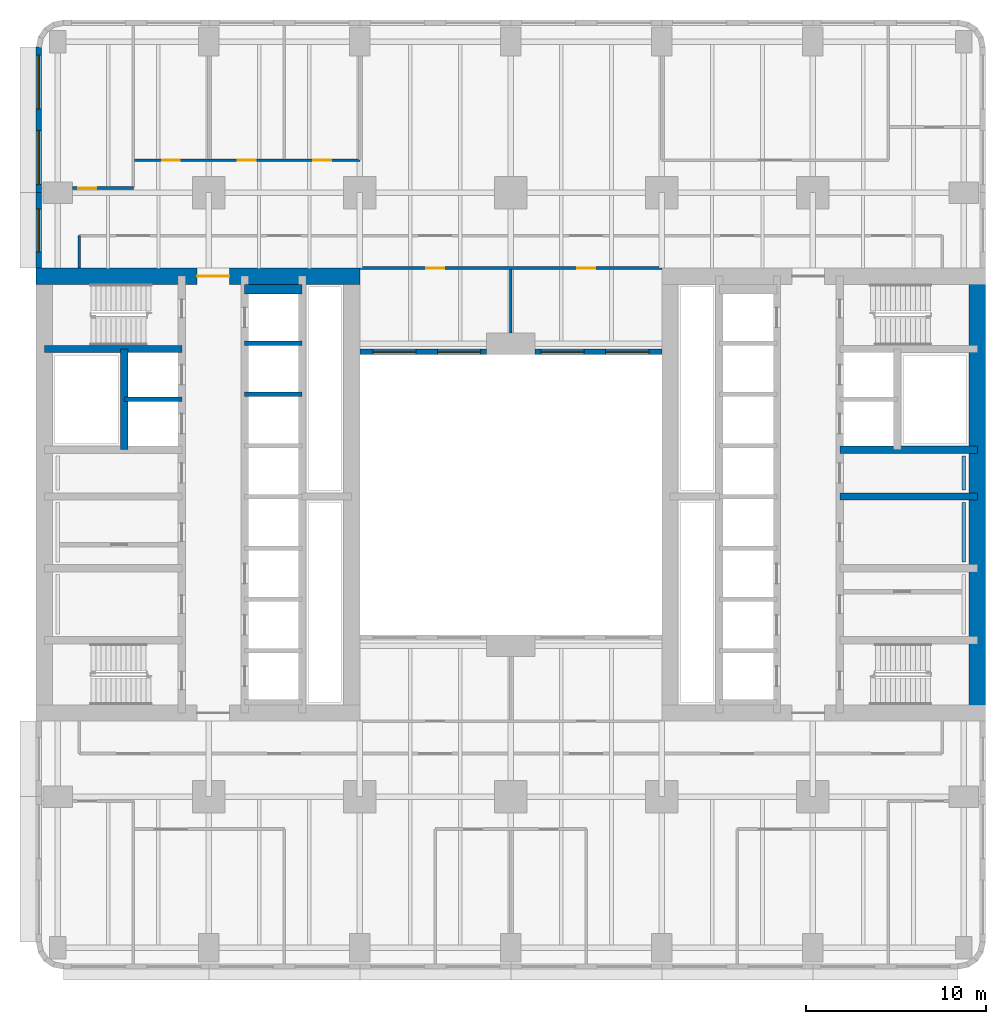
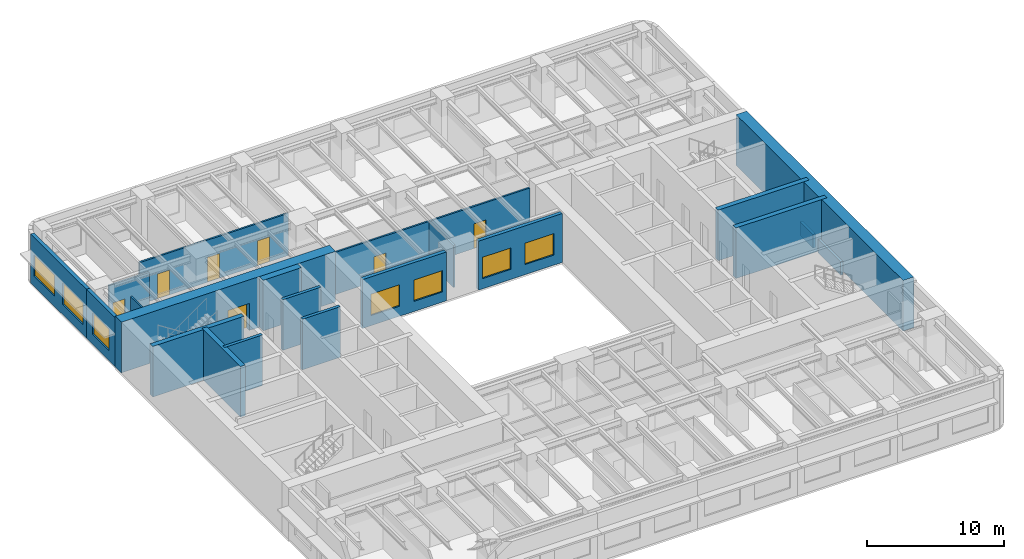
# One storey, part 6 of 14: 21 walls, 7 doors, 7 windows, 14 openings.
"""IFC4 building model written with IfcOpenShell, lengths in metres."""

from ifc_helpers import new_model, si_unit, direction, frame, frame_2d, origin, place, context, subcontext, project, spatial, rectangle, extrude, material, layer, layer_set, type_object, element, fill, save


model = new_model("IFC4")

# Units and contexts
model_context = context("Model", 3, precision=1e-05, world=origin(), true_north=direction((0.0, 1.0)))
body_context = subcontext(model_context, "Body", "Model", "MODEL_VIEW")
ifc_project = project(units=[si_unit("LENGTHUNIT", "METRE"), si_unit("AREAUNIT", "SQUARE_METRE"), si_unit("VOLUMEUNIT", "CUBIC_METRE"), si_unit("PLANEANGLEUNIT", "RADIAN"), si_unit("MASSUNIT", "GRAM", prefix="KILO")], contexts=[model_context])

# Site, building, storey
site_placement = place(None, origin())
site = spatial("IfcSite", under=ifc_project, at=site_placement, CompositionType="ELEMENT")
building_placement = place(site_placement, origin())
building = spatial("IfcBuilding", under=site, at=building_placement, Name="Claustro Exchange Tower", CompositionType="ELEMENT")
storey_placement = place(building_placement, frame((0.0, 0.0, 77.39990234375)))
storey = spatial("IfcBuildingStorey", under=building, at=storey_placement, Name="L17", CompositionType="ELEMENT", Elevation=77.39990234375)

# Wall, opening, door
ifc_material_1 = material(Name="Gypsum board on steel studs", Category="steel")
ifc_layer_1 = layer(ifc_material_1, 0.14990234375)
ifc_layer_set_1 = layer_set([ifc_layer_1], Name="Gypsum board on steel studs")
wall_type_1 = type_object("IfcWallType", Name="P1 150 plasterboard partition", PredefinedType="PARTITIONING", material=ifc_layer_set_1)
wall_1_placement = place(storey_placement, frame((0.823974609375, 42.25, 0.0), z_axis=(0.0, 0.0, 1.0), x_axis=(1.0, 0.0, 0.0)))
wall_1 = element("IfcWall", 1, at=wall_1_placement, inside=storey, type_object=wall_type_1, Name="Partition P1 L17", PredefinedType="PARTITIONING", context=body_context, shape_type="SweptSolid", body=[
    extrude(rectangle(XDim=3.3759765625, YDim=0.14990234375, at=frame_2d((1.68798828125, 0.0))), origin(), (0.0, 0.0, 1.0), 3.840087890625),
])
opening_1_placement = place(wall_1_placement, frame((0.325927734375, 0.0, 0.0)))
opening_1 = element("IfcOpeningElement", 2, at=opening_1_placement, cuts=wall_1, Name="Opening D1", PredefinedType="OPENING", context=body_context, shape_type="SweptSolid", body=[
    extrude(rectangle(XDim=1.0, YDim=2.199951171875, at=frame_2d((0.5, 1.10009765625))), frame((0.0, 0.0849609375, 0.0), z_axis=(0.0, -1.0, 0.0), x_axis=(1.0, 0.0, 0.0)), (0.0, 0.0, 1.0), 0.169921875),
])
ifc_material_2 = material(Name="Timber door, oak veneer", Category="wood")
door_type_1 = type_object("IfcDoorType", Name="D1 1000 x 2200 single door", OperationType="SINGLE_SWING_LEFT", PredefinedType="DOOR", material=ifc_material_2)
door_1_placement = place(opening_1_placement, origin())
door_1 = element("IfcDoor", 3, at=door_1_placement, inside=storey, type_object=door_type_1, Name="Door D1 L17", OperationType="SINGLE_SWING_RIGHT", OverallHeight=2.199951171875, OverallWidth=1.0, PredefinedType="DOOR", context=body_context, shape_type="SweptSolid", body=[
    extrude(rectangle(XDim=1.0, YDim=2.199951171875, at=frame_2d((0.5, 1.10009765625))), frame((0.0, 0.02490234375, 0.0), z_axis=(0.0, -1.0, 0.0), x_axis=(1.0, 0.0, 0.0)), (0.0, 0.0, 1.0), 0.050048828125),
])
fill(opening_1, door_1)

# Wall, openings, doors
wall_2_placement = place(storey_placement, frame((4.27392578125, 43.800048828125, 0.0), z_axis=(0.0, 0.0, 1.0), x_axis=(1.0, 0.0, 0.0)))
wall_2 = element("IfcWall", 4, at=wall_2_placement, inside=storey, type_object=wall_type_1, Name="Partition P1 L17", PredefinedType="PARTITIONING", context=body_context, shape_type="SweptSolid", body=[
    extrude(rectangle(XDim=12.526123046875, YDim=0.14990234375, at=frame_2d((6.26318359375, 0.0))), origin(), (0.0, 0.0, 1.0), 3.739990234375),
])
opening_2_placement = place(wall_2_placement, frame((1.52587890625, 0.0, 0.0)))
opening_2 = element("IfcOpeningElement", 5, at=opening_2_placement, cuts=wall_2, Name="Opening D1", PredefinedType="OPENING", context=body_context, shape_type="SweptSolid", body=[
    extrude(rectangle(XDim=1.0, YDim=2.199951171875, at=frame_2d((0.5, 1.10009765625))), frame((0.0, 0.0849609375, 0.0), z_axis=(0.0, -1.0, 0.0), x_axis=(1.0, 0.0, 0.0)), (0.0, 0.0, 1.0), 0.169921875),
])
opening_3_placement = place(wall_2_placement, frame((5.72607421875, 0.0, 0.0)))
opening_3 = element("IfcOpeningElement", 6, at=opening_3_placement, cuts=wall_2, Name="Opening D1", PredefinedType="OPENING", context=body_context, shape_type="SweptSolid", body=[
    extrude(rectangle(XDim=1.0, YDim=2.199951171875, at=frame_2d((0.5, 1.10009765625))), frame((0.0, 0.0849609375, 0.0), z_axis=(0.0, -1.0, 0.0), x_axis=(1.0, 0.0, 0.0)), (0.0, 0.0, 1.0), 0.169921875),
])
opening_4_placement = place(wall_2_placement, frame((9.926025390625, 0.0, 0.0)))
opening_4 = element("IfcOpeningElement", 7, at=opening_4_placement, cuts=wall_2, Name="Opening D1", PredefinedType="OPENING", context=body_context, shape_type="SweptSolid", body=[
    extrude(rectangle(XDim=1.0, YDim=2.199951171875, at=frame_2d((0.5, 1.10009765625))), frame((0.0, 0.0849609375, 0.0), z_axis=(0.0, -1.0, 0.0), x_axis=(1.0, 0.0, 0.0)), (0.0, 0.0, 1.0), 0.169921875),
])
door_2_placement = place(opening_2_placement, origin())
door_2 = element("IfcDoor", 8, at=door_2_placement, inside=storey, type_object=door_type_1, Name="Door D1 L17", OperationType="SINGLE_SWING_LEFT", OverallHeight=2.199951171875, OverallWidth=1.0, PredefinedType="DOOR", context=body_context, shape_type="SweptSolid", body=[
    extrude(rectangle(XDim=1.0, YDim=2.199951171875, at=frame_2d((0.5, 1.10009765625))), frame((0.0, 0.02490234375, 0.0), z_axis=(0.0, -1.0, 0.0), x_axis=(1.0, 0.0, 0.0)), (0.0, 0.0, 1.0), 0.050048828125),
])
fill(opening_2, door_2)
door_3_placement = place(opening_3_placement, origin())
door_3 = element("IfcDoor", 9, at=door_3_placement, inside=storey, type_object=door_type_1, Name="Door D1 L17", OperationType="SINGLE_SWING_LEFT", OverallHeight=2.199951171875, OverallWidth=1.0, PredefinedType="DOOR", context=body_context, shape_type="SweptSolid", body=[
    extrude(rectangle(XDim=1.0, YDim=2.199951171875, at=frame_2d((0.5, 1.10009765625))), frame((0.0, 0.02490234375, 0.0), z_axis=(0.0, -1.0, 0.0), x_axis=(1.0, 0.0, 0.0)), (0.0, 0.0, 1.0), 0.050048828125),
])
fill(opening_3, door_3)
door_4_placement = place(opening_4_placement, origin())
door_4 = element("IfcDoor", 10, at=door_4_placement, inside=storey, type_object=door_type_1, Name="Door D1 L17", OperationType="SINGLE_SWING_LEFT", OverallHeight=2.199951171875, OverallWidth=1.0, PredefinedType="DOOR", context=body_context, shape_type="SweptSolid", body=[
    extrude(rectangle(XDim=1.0, YDim=2.199951171875, at=frame_2d((0.5, 1.10009765625))), frame((0.0, 0.02490234375, 0.0), z_axis=(0.0, -1.0, 0.0), x_axis=(1.0, 0.0, 0.0)), (0.0, 0.0, 1.0), 0.050048828125),
])
fill(opening_4, door_4)

# Wall
wall_3_placement = place(storey_placement, frame((1.199951171875, 37.800048828125, 0.0), z_axis=(0.0, 0.0, 1.0), x_axis=(0.0, 1.0, 0.0)))
element("IfcWall", 11, at=wall_3_placement, inside=storey, type_object=wall_type_1, Name="Partition P1 L17", PredefinedType="PARTITIONING", context=body_context, shape_type="SweptSolid", body=[
    extrude(rectangle(XDim=1.800048828125, YDim=0.14990234375, at=frame_2d((0.89990234375, 0.0))), origin(), (0.0, 0.0, 1.0), 4.340087890625),
])

# Wall, openings, doors
wall_4_placement = place(storey_placement, frame((16.798095703125, 37.800048828125, 0.0), z_axis=(0.0, 0.0, 1.0), x_axis=(1.0, 0.0, 0.0)))
wall_4 = element("IfcWall", 12, at=wall_4_placement, inside=storey, type_object=wall_type_1, Name="Partition P1 L17", PredefinedType="PARTITIONING", context=body_context, shape_type="SweptSolid", body=[
    extrude(rectangle(XDim=16.803955078125, YDim=0.14990234375, at=frame_2d((8.40185546875, 0.0))), origin(), (0.0, 0.0, 1.0), 3.739990234375),
])
opening_5_placement = place(wall_4_placement, frame((3.701904296875, 0.0, 0.0)))
opening_5 = element("IfcOpeningElement", 13, at=opening_5_placement, cuts=wall_4, Name="Opening D1", PredefinedType="OPENING", context=body_context, shape_type="SweptSolid", body=[
    extrude(rectangle(XDim=1.0, YDim=2.199951171875, at=frame_2d((0.5, 1.10009765625))), frame((0.0, 0.0849609375, 0.0), z_axis=(0.0, -1.0, 0.0), x_axis=(1.0, 0.0, 0.0)), (0.0, 0.0, 1.0), 0.169921875),
])
opening_6_placement = place(wall_4_placement, frame((12.10205078125, 0.0, 0.0)))
opening_6 = element("IfcOpeningElement", 14, at=opening_6_placement, cuts=wall_4, Name="Opening D1", PredefinedType="OPENING", context=body_context, shape_type="SweptSolid", body=[
    extrude(rectangle(XDim=1.0, YDim=2.199951171875, at=frame_2d((0.5, 1.10009765625))), frame((0.0, 0.0849609375, 0.0), z_axis=(0.0, -1.0, 0.0), x_axis=(1.0, 0.0, 0.0)), (0.0, 0.0, 1.0), 0.169921875),
])
door_5_placement = place(opening_5_placement, frame((1.0, 0.0, 0.0), z_axis=(0.0, 0.0, 1.0), x_axis=(-1.0, 0.0, 0.0)))
door_5 = element("IfcDoor", 15, at=door_5_placement, inside=storey, type_object=door_type_1, Name="Door D1 L17", OperationType="SINGLE_SWING_RIGHT", OverallHeight=2.199951171875, OverallWidth=1.0, PredefinedType="DOOR", context=body_context, shape_type="SweptSolid", body=[
    extrude(rectangle(XDim=1.0, YDim=2.199951171875, at=frame_2d((0.5, 1.10009765625))), frame((0.0, 0.02490234375, 0.0), z_axis=(0.0, -1.0, 0.0), x_axis=(1.0, 0.0, 0.0)), (0.0, 0.0, 1.0), 0.050048828125),
])
fill(opening_5, door_5)
door_6_placement = place(opening_6_placement, frame((1.0, 0.0, 0.0), z_axis=(0.0, 0.0, 1.0), x_axis=(-1.0, 0.0, 0.0)))
door_6 = element("IfcDoor", 16, at=door_6_placement, inside=storey, type_object=door_type_1, Name="Door D1 L17", OperationType="SINGLE_SWING_RIGHT", OverallHeight=2.199951171875, OverallWidth=1.0, PredefinedType="DOOR", context=body_context, shape_type="SweptSolid", body=[
    extrude(rectangle(XDim=1.0, YDim=2.199951171875, at=frame_2d((0.5, 1.10009765625))), frame((0.0, 0.02490234375, 0.0), z_axis=(0.0, -1.0, 0.0), x_axis=(1.0, 0.0, 0.0)), (0.0, 0.0, 1.0), 0.050048828125),
])
fill(opening_6, door_6)

# Wall
wall_5_placement = place(storey_placement, frame((25.199951171875, 34.198974609375, 0.0), z_axis=(0.0, 0.0, 1.0), x_axis=(0.0, 1.0, 0.0)))
element("IfcWall", 17, at=wall_5_placement, inside=storey, type_object=wall_type_1, Name="Partition P1 L17", PredefinedType="PARTITIONING", context=body_context, shape_type="SweptSolid", body=[
    extrude(rectangle(XDim=3.527099609375, YDim=0.14990234375, at=frame_2d((1.763671875, 0.0))), origin(), (0.0, 0.0, 1.0), 3.739990234375),
])

# Wall, opening, window
ifc_material_3 = material(Name="Concrete HA-40 (C40/50), precast, white cement, acid-etched", Category="concrete")
ifc_layer_2 = layer(ifc_material_3, 0.300048828125)
ifc_layer_set_2 = layer_set([ifc_layer_2], Name="Concrete HA-40 (C40/50), precast, white cement, acid-etched")
wall_type_2 = type_object("IfcWallType", Name="PC1 300 precast concrete pier panel", PredefinedType="SOLIDWALL", material=ifc_layer_set_2)
wall_6_placement = place(storey_placement, frame((-1.050048828125, 37.800048828125, 0.0), z_axis=(0.0, 0.0, 1.0), x_axis=(0.0, 1.0, 0.0)))
wall_6 = element("IfcWall", 18, at=wall_6_placement, inside=storey, type_object=wall_type_2, Name="Precast pier panel PC1 L17", PredefinedType="SOLIDWALL", context=body_context, shape_type="SweptSolid", body=[
    extrude(rectangle(XDim=4.199951171875, YDim=0.300048828125, at=frame_2d((2.10009765625, 0.0))), origin(), (0.0, 0.0, 1.0), 4.340087890625),
])
opening_7_placement = place(wall_6_placement, frame((0.89990234375, 0.0, 0.89990234375)))
opening_7 = element("IfcOpeningElement", 19, at=opening_7_placement, cuts=wall_6, Name="Opening W2", PredefinedType="OPENING", context=body_context, shape_type="SweptSolid", body=[
    extrude(rectangle(XDim=2.39990234375, YDim=1.89990234375, at=frame_2d((1.199951171875, 0.949951171875))), frame((0.0, 0.159912109375, 0.0), z_axis=(0.0, -1.0, 0.0), x_axis=(1.0, 0.0, 0.0)), (0.0, 0.0, 1.0), 0.320068359375),
])
ifc_material_4 = material(Name="Aluminium frame, clear double glazing", Category="aluminium")
window_type_1 = type_object("IfcWindowType", Name="W2 2400 x 1900 window", PartitioningType="SINGLE_PANEL", PredefinedType="WINDOW", material=ifc_material_4)
window_1_placement = place(opening_7_placement, origin())
window_1 = element("IfcWindow", 20, at=window_1_placement, inside=storey, type_object=window_type_1, Name="Window W2 L17", OverallHeight=1.89990234375, OverallWidth=2.39990234375, PartitioningType="SINGLE_PANEL", PredefinedType="WINDOW", context=body_context, shape_type="SweptSolid", body=[
    extrude(rectangle(XDim=2.39990234375, YDim=1.89990234375, at=frame_2d((1.199951171875, 0.949951171875))), frame((0.0, 0.030029296875, 0.0), z_axis=(0.0, -1.0, 0.0), x_axis=(1.0, 0.0, 0.0)), (0.0, 0.0, 1.0), 0.06005859375),
])
fill(opening_7, window_1)

# Wall, openings, windows
wall_7_placement = place(storey_placement, frame((-1.050048828125, 42.0, 0.0), z_axis=(0.0, 0.0, 1.0), x_axis=(0.0, 1.0, 0.0)))
wall_7 = element("IfcWall", 21, at=wall_7_placement, inside=storey, type_object=wall_type_2, Name="Precast pier panel PC1 L17", PredefinedType="SOLIDWALL", context=body_context, shape_type="SweptSolid", body=[
    extrude(rectangle(XDim=8.085205078125, YDim=0.300048828125, at=frame_2d((4.04248046875, 0.0))), origin(), (0.0, 0.0, 1.0), 4.340087890625),
])
opening_8_placement = place(wall_7_placement, frame((0.442626953125, 0.0, 0.89990234375)))
opening_8 = element("IfcOpeningElement", 22, at=opening_8_placement, cuts=wall_7, Name="Opening W1", PredefinedType="OPENING", context=body_context, shape_type="SweptSolid", body=[
    extrude(rectangle(XDim=3.0, YDim=1.89990234375, at=frame_2d((1.5, 0.949951171875))), frame((0.0, 0.159912109375, 0.0), z_axis=(0.0, -1.0, 0.0), x_axis=(1.0, 0.0, 0.0)), (0.0, 0.0, 1.0), 0.320068359375),
])
opening_9_placement = place(wall_7_placement, frame((4.642578125, 0.0, 0.89990234375)))
opening_9 = element("IfcOpeningElement", 23, at=opening_9_placement, cuts=wall_7, Name="Opening W1", PredefinedType="OPENING", context=body_context, shape_type="SweptSolid", body=[
    extrude(rectangle(XDim=3.0, YDim=1.89990234375, at=frame_2d((1.5, 0.949951171875))), frame((0.0, 0.159912109375, 0.0), z_axis=(0.0, -1.0, 0.0), x_axis=(1.0, 0.0, 0.0)), (0.0, 0.0, 1.0), 0.320068359375),
])
ifc_material_5 = material(Name="Aluminium frame, clear double glazing", Category="aluminium")
window_type_2 = type_object("IfcWindowType", Name="W1 3000 x 1900 window", PartitioningType="SINGLE_PANEL", PredefinedType="WINDOW", material=ifc_material_5)
window_2_placement = place(opening_8_placement, origin())
window_2 = element("IfcWindow", 24, at=window_2_placement, inside=storey, type_object=window_type_2, Name="Window W1 L17", OverallHeight=1.89990234375, OverallWidth=3.0, PartitioningType="SINGLE_PANEL", PredefinedType="WINDOW", context=body_context, shape_type="SweptSolid", body=[
    extrude(rectangle(XDim=3.0, YDim=1.89990234375, at=frame_2d((1.5, 0.949951171875))), frame((0.0, 0.030029296875, 0.0), z_axis=(0.0, -1.0, 0.0), x_axis=(1.0, 0.0, 0.0)), (0.0, 0.0, 1.0), 0.06005859375),
])
fill(opening_8, window_2)
window_3_placement = place(opening_9_placement, origin())
window_3 = element("IfcWindow", 25, at=window_3_placement, inside=storey, type_object=window_type_2, Name="Window W1 L17", OverallHeight=1.89990234375, OverallWidth=3.0, PartitioningType="SINGLE_PANEL", PredefinedType="WINDOW", context=body_context, shape_type="SweptSolid", body=[
    extrude(rectangle(XDim=3.0, YDim=1.89990234375, at=frame_2d((1.5, 0.949951171875))), frame((0.0, 0.030029296875, 0.0), z_axis=(0.0, -1.0, 0.0), x_axis=(1.0, 0.0, 0.0)), (0.0, 0.0, 1.0), 0.06005859375),
])
fill(opening_9, window_3)

wall_8_placement = place(storey_placement, frame((16.800048828125, 33.14990234375, 0.0), z_axis=(0.0, 0.0, 1.0), x_axis=(1.0, 0.0, 0.0)))
wall_8 = element("IfcWall", 26, at=wall_8_placement, inside=storey, type_object=wall_type_2, Name="Precast pier panel PC1 L17", PredefinedType="SOLIDWALL", context=body_context, shape_type="SweptSolid", body=[
    extrude(rectangle(XDim=7.050048828125, YDim=0.300048828125, at=frame_2d((3.52490234375, 0.0))), origin(), (0.0, 0.0, 1.0), 4.340087890625),
])
opening_10_placement = place(wall_8_placement, frame((0.72509765625, 0.0, 0.89990234375)))
opening_10 = element("IfcOpeningElement", 27, at=opening_10_placement, cuts=wall_8, Name="Opening W2", PredefinedType="OPENING", context=body_context, shape_type="SweptSolid", body=[
    extrude(rectangle(XDim=2.39990234375, YDim=1.89990234375, at=frame_2d((1.199951171875, 0.949951171875))), frame((0.0, 0.159912109375, 0.0), z_axis=(0.0, -1.0, 0.0), x_axis=(1.0, 0.0, 0.0)), (0.0, 0.0, 1.0), 0.320068359375),
])
opening_11_placement = place(wall_8_placement, frame((4.324951171875, 0.0, 0.89990234375)))
opening_11 = element("IfcOpeningElement", 28, at=opening_11_placement, cuts=wall_8, Name="Opening W2", PredefinedType="OPENING", context=body_context, shape_type="SweptSolid", body=[
    extrude(rectangle(XDim=2.39990234375, YDim=1.89990234375, at=frame_2d((1.199951171875, 0.949951171875))), frame((0.0, 0.159912109375, 0.0), z_axis=(0.0, -1.0, 0.0), x_axis=(1.0, 0.0, 0.0)), (0.0, 0.0, 1.0), 0.320068359375),
])
window_4_placement = place(opening_10_placement, origin())
window_4 = element("IfcWindow", 29, at=window_4_placement, inside=storey, type_object=window_type_1, Name="Window W2 L17", OverallHeight=1.89990234375, OverallWidth=2.39990234375, PartitioningType="SINGLE_PANEL", PredefinedType="WINDOW", context=body_context, shape_type="SweptSolid", body=[
    extrude(rectangle(XDim=2.39990234375, YDim=1.89990234375, at=frame_2d((1.199951171875, 0.949951171875))), frame((0.0, 0.030029296875, 0.0), z_axis=(0.0, -1.0, 0.0), x_axis=(1.0, 0.0, 0.0)), (0.0, 0.0, 1.0), 0.06005859375),
])
fill(opening_10, window_4)
window_5_placement = place(opening_11_placement, origin())
window_5 = element("IfcWindow", 30, at=window_5_placement, inside=storey, type_object=window_type_1, Name="Window W2 L17", OverallHeight=1.89990234375, OverallWidth=2.39990234375, PartitioningType="SINGLE_PANEL", PredefinedType="WINDOW", context=body_context, shape_type="SweptSolid", body=[
    extrude(rectangle(XDim=2.39990234375, YDim=1.89990234375, at=frame_2d((1.199951171875, 0.949951171875))), frame((0.0, 0.030029296875, 0.0), z_axis=(0.0, -1.0, 0.0), x_axis=(1.0, 0.0, 0.0)), (0.0, 0.0, 1.0), 0.06005859375),
])
fill(opening_11, window_5)

wall_9_placement = place(storey_placement, frame((26.550048828125, 33.14990234375, 0.0), z_axis=(0.0, 0.0, 1.0), x_axis=(1.0, 0.0, 0.0)))
wall_9 = element("IfcWall", 31, at=wall_9_placement, inside=storey, type_object=wall_type_2, Name="Precast pier panel PC1 L17", PredefinedType="SOLIDWALL", context=body_context, shape_type="SweptSolid", body=[
    extrude(rectangle(XDim=7.050048828125, YDim=0.300048828125, at=frame_2d((3.52490234375, 0.0))), origin(), (0.0, 0.0, 1.0), 4.340087890625),
])
opening_12_placement = place(wall_9_placement, frame((0.324951171875, 0.0, 0.89990234375)))
opening_12 = element("IfcOpeningElement", 32, at=opening_12_placement, cuts=wall_9, Name="Opening W2", PredefinedType="OPENING", context=body_context, shape_type="SweptSolid", body=[
    extrude(rectangle(XDim=2.39990234375, YDim=1.89990234375, at=frame_2d((1.199951171875, 0.949951171875))), frame((0.0, 0.159912109375, 0.0), z_axis=(0.0, -1.0, 0.0), x_axis=(1.0, 0.0, 0.0)), (0.0, 0.0, 1.0), 0.320068359375),
])
opening_13_placement = place(wall_9_placement, frame((3.925048828125, 0.0, 0.89990234375)))
opening_13 = element("IfcOpeningElement", 33, at=opening_13_placement, cuts=wall_9, Name="Opening W2", PredefinedType="OPENING", context=body_context, shape_type="SweptSolid", body=[
    extrude(rectangle(XDim=2.39990234375, YDim=1.89990234375, at=frame_2d((1.199951171875, 0.949951171875))), frame((0.0, 0.159912109375, 0.0), z_axis=(0.0, -1.0, 0.0), x_axis=(1.0, 0.0, 0.0)), (0.0, 0.0, 1.0), 0.320068359375),
])
window_6_placement = place(opening_12_placement, origin())
window_6 = element("IfcWindow", 34, at=window_6_placement, inside=storey, type_object=window_type_1, Name="Window W2 L17", OverallHeight=1.89990234375, OverallWidth=2.39990234375, PartitioningType="SINGLE_PANEL", PredefinedType="WINDOW", context=body_context, shape_type="SweptSolid", body=[
    extrude(rectangle(XDim=2.39990234375, YDim=1.89990234375, at=frame_2d((1.199951171875, 0.949951171875))), frame((0.0, 0.030029296875, 0.0), z_axis=(0.0, -1.0, 0.0), x_axis=(1.0, 0.0, 0.0)), (0.0, 0.0, 1.0), 0.06005859375),
])
fill(opening_12, window_6)
window_7_placement = place(opening_13_placement, origin())
window_7 = element("IfcWindow", 35, at=window_7_placement, inside=storey, type_object=window_type_1, Name="Window W2 L17", OverallHeight=1.89990234375, OverallWidth=2.39990234375, PartitioningType="SINGLE_PANEL", PredefinedType="WINDOW", context=body_context, shape_type="SweptSolid", body=[
    extrude(rectangle(XDim=2.39990234375, YDim=1.89990234375, at=frame_2d((1.199951171875, 0.949951171875))), frame((0.0, 0.030029296875, 0.0), z_axis=(0.0, -1.0, 0.0), x_axis=(1.0, 0.0, 0.0)), (0.0, 0.0, 1.0), 0.06005859375),
])
fill(opening_13, window_7)

# Walls
ifc_material_6 = material(Name="Gypsum board on steel studs, tiled", Category="steel")
ifc_layer_3 = layer(ifc_material_6, 0.199951171875)
ifc_layer_set_3 = layer_set([ifc_layer_3], Name="Gypsum board on steel studs, tiled")
wall_type_3 = type_object("IfcWallType", Name="PW1 200 WC duct wall", PredefinedType="PLUMBINGWALL", material=ifc_layer_set_3)
wall_10_placement = place(storey_placement, frame((50.39990234375, 21.449951171875, 0.0), z_axis=(0.0, 0.0, 1.0), x_axis=(0.0, 1.0, 0.0)))
element("IfcWall", 36, at=wall_10_placement, inside=storey, type_object=wall_type_3, Name="WC duct wall PW1 L17", PredefinedType="PLUMBINGWALL", context=body_context, shape_type="SweptSolid", body=[
    extrude(rectangle(XDim=3.300048828125, YDim=0.199951171875, at=frame_2d((1.64990234375, 0.0))), origin(), (0.0, 0.0, 1.0), 1.2001953125),
])
wall_11_placement = place(storey_placement, frame((50.39990234375, 25.449951171875, 0.0), z_axis=(0.0, 0.0, 1.0), x_axis=(0.0, 1.0, 0.0)))
element("IfcWall", 37, at=wall_11_placement, inside=storey, type_object=wall_type_3, Name="WC duct wall PW1 L17", PredefinedType="PLUMBINGWALL", context=body_context, shape_type="SweptSolid", body=[
    extrude(rectangle(XDim=1.900146484375, YDim=0.199951171875, at=frame_2d((0.9501953125, 0.0))), origin(), (0.0, 0.0, 1.0), 1.2001953125),
])

# Wall, opening, door
ifc_material_7 = material(Name="Concrete HA-70 (C70/85)", Category="concrete")
ifc_layer_4 = layer(ifc_material_7, 0.89990234375)
ifc_layer_set_4 = layer_set([ifc_layer_4], Name="Concrete HA-70 (C70/85)")
wall_type_4 = type_object("IfcWallType", Name="SW1 900 core shear wall", PredefinedType="SHEAR", material=ifc_layer_set_4)
wall_12_placement = place(storey_placement, frame((-1.199951171875, 37.35009765625, 0.0), z_axis=(0.0, 0.0, 1.0), x_axis=(1.0, 0.0, 0.0)))
wall_12 = element("IfcWall", 38, at=wall_12_placement, inside=storey, type_object=wall_type_4, Name="Core wall SW1 W core N face L17", PredefinedType="SHEAR", context=body_context, shape_type="SweptSolid", body=[
    extrude(rectangle(XDim=18.0, YDim=0.89990234375, at=frame_2d((9.0, 0.0))), origin(), (0.0, 0.0, 1.0), 4.5),
])
opening_14_placement = place(wall_12_placement, frame((8.949951171875, 0.0, 0.0)))
opening_14 = element("IfcOpeningElement", 39, at=opening_14_placement, cuts=wall_12, Name="Opening D3", PredefinedType="OPENING", context=body_context, shape_type="SweptSolid", body=[
    extrude(rectangle(XDim=1.800048828125, YDim=2.39990234375, at=frame_2d((0.89990234375, 1.199951171875))), frame((0.0, 0.4599609375, 0.0), z_axis=(0.0, -1.0, 0.0), x_axis=(1.0, 0.0, 0.0)), (0.0, 0.0, 1.0), 0.919921875),
])
ifc_material_8 = material(Name="Steel fire door, painted", Category="steel")
door_type_2 = type_object("IfcDoorType", Name="D3 1800 x 2400 fire-rated lobby double door", OperationType="DOUBLE_DOOR_SINGLE_SWING", PredefinedType="DOOR", material=ifc_material_8)
door_7_placement = place(opening_14_placement, frame((1.800048828125, 0.0, 0.0), z_axis=(0.0, 0.0, 1.0), x_axis=(-1.0, 0.0, 0.0)))
door_7 = element("IfcDoor", 40, at=door_7_placement, inside=storey, type_object=door_type_2, Name="Lift lobby door D3 L17", OperationType="DOUBLE_DOOR_SINGLE_SWING", OverallHeight=2.39990234375, OverallWidth=1.800048828125, PredefinedType="DOOR", context=body_context, shape_type="SweptSolid", body=[
    extrude(rectangle(XDim=1.800048828125, YDim=2.39990234375, at=frame_2d((0.89990234375, 1.199951171875))), frame((0.0, 0.02490234375, 0.0), z_axis=(0.0, -1.0, 0.0), x_axis=(1.0, 0.0, 0.0)), (0.0, 0.0, 1.0), 0.050048828125),
])
fill(opening_14, door_7)

# Walls
ifc_material_9 = material(Name="Concrete HA-70 (C70/85)", Category="concrete")
ifc_layer_5 = layer(ifc_material_9, 0.89990234375)
ifc_layer_set_5 = layer_set([ifc_layer_5], Name="Concrete HA-70 (C70/85)")
wall_type_5 = type_object("IfcWallType", Name="SW1X 900 exposed core shear wall, board-marked face", PredefinedType="SHEAR", material=ifc_layer_set_5)
wall_13_placement = place(storey_placement, frame((51.14990234375, 13.050048828125, 0.0), z_axis=(0.0, 0.0, 1.0), x_axis=(0.0, 1.0, 0.0)))
element("IfcWall", 41, at=wall_13_placement, inside=storey, type_object=wall_type_5, Name="Core wall SW1X E core E face L17", PredefinedType="SHEAR", context=body_context, shape_type="SweptSolid", body=[
    extrude(rectangle(XDim=24.300048828125, YDim=0.89990234375, at=frame_2d((12.14990234375, 0.0))), origin(), (0.0, 0.0, 1.0), 4.5),
])
ifc_material_10 = material(Name="Concrete HA-50 (C50/60)", Category="concrete")
ifc_layer_6 = layer(ifc_material_10, 0.39990234375)
ifc_layer_set_6 = layer_set([ifc_layer_6], Name="Concrete HA-50 (C50/60)")
wall_type_6 = type_object("IfcWallType", Name="SW4 400 internal core wall", PredefinedType="SHEAR", material=ifc_layer_set_6)
wall_14_placement = place(storey_placement, frame((-0.75, 33.300048828125, 0.0), z_axis=(0.0, 0.0, 1.0), x_axis=(1.0, 0.0, 0.0)))
element("IfcWall", 42, at=wall_14_placement, inside=storey, type_object=wall_type_6, Name="Internal core wall SW4 W core L17", PredefinedType="SHEAR", context=body_context, shape_type="SweptSolid", body=[
    extrude(rectangle(XDim=7.64990234375, YDim=0.39990234375, at=frame_2d((3.824951171875, 0.0))), origin(), (0.0, 0.0, 1.0), 4.5),
])
wall_15_placement = place(storey_placement, frame((3.699951171875, 27.699951171875, 0.0), z_axis=(0.0, 0.0, 1.0), x_axis=(0.0, 1.0, 0.0)))
element("IfcWall", 43, at=wall_15_placement, inside=storey, type_object=wall_type_6, Name="Internal core wall SW4 W core L17", PredefinedType="SHEAR", context=body_context, shape_type="SweptSolid", body=[
    extrude(rectangle(XDim=5.60009765625, YDim=0.39990234375, at=frame_2d((2.800048828125, 0.0))), origin(), (0.0, 0.0, 1.0), 4.5),
])
for number, where, z_axis, x_axis, name in (
    (44, (51.14990234375, 25.10009765625, 0.0), (0.0, 0.0, 1.0), (-1.0, 0.0, 0.0), "Internal core wall SW4 E core L17"),
    (45, (51.14990234375, 27.699951171875, 0.0), (0.0, 0.0, 1.0), (-1.0, 0.0, 0.0), "Internal core wall SW4 E core L17"),
):
    element("IfcWall", number, at=place(storey_placement, frame(where, z_axis=z_axis, x_axis=x_axis)), inside=storey, type_object=wall_type_6, Name=name, PredefinedType="SHEAR", context=body_context, shape_type="SweptSolid", body=[
        extrude(rectangle(XDim=7.64990234375, YDim=0.39990234375, at=frame_2d((3.824951171875, 0.0))), origin(), (0.0, 0.0, 1.0), 4.5),
    ])
ifc_material_11 = material(Name="Concrete HA-50 (C50/60)", Category="concrete")
ifc_layer_7 = layer(ifc_material_11, 0.25)
ifc_layer_set_7 = layer_set([ifc_layer_7], Name="Concrete HA-50 (C50/60)")
wall_type_7 = type_object("IfcWallType", Name="SW5 250 lift shaft divider wall", PredefinedType="SHEAR", material=ifc_layer_set_7)
wall_16_placement = place(storey_placement, frame((3.699951171875, 30.5, 0.0), z_axis=(0.0, 0.0, 1.0), x_axis=(1.0, 0.0, 0.0)))
element("IfcWall", 46, at=wall_16_placement, inside=storey, type_object=wall_type_7, Name="Lift shaft wall W core L17", PredefinedType="SHEAR", context=body_context, shape_type="SweptSolid", body=[
    extrude(rectangle(XDim=3.199951171875, YDim=0.25, at=frame_2d((1.60009765625, 0.0))), origin(), (0.0, 0.0, 1.0), 4.5),
])
for number, where, z_axis, x_axis, name in (
    (47, (10.39990234375, 30.77490234375, 0.0), (0.0, 0.0, 1.0), (1.0, 0.0, 0.0), "Lift shaft wall W core L17"),
    (48, (10.39990234375, 33.625, 0.0), (0.0, 0.0, 1.0), (1.0, 0.0, 0.0), "Lift shaft wall W core L17"),
):
    element("IfcWall", number, at=place(storey_placement, frame(where, z_axis=z_axis, x_axis=x_axis)), inside=storey, type_object=wall_type_7, Name=name, PredefinedType="SHEAR", context=body_context, shape_type="SweptSolid", body=[
        extrude(rectangle(XDim=3.2001953125, YDim=0.25, at=frame_2d((1.60009765625, 0.0))), origin(), (0.0, 0.0, 1.0), 4.5),
    ])
ifc_material_12 = material(Name="Concrete HA-50 (C50/60)", Category="concrete")
ifc_layer_8 = layer(ifc_material_12, 0.550048828125)
ifc_layer_set_8 = layer_set([ifc_layer_8], Name="Concrete HA-50 (C50/60)")
wall_type_8 = type_object("IfcWallType", Name="SW6 550 lift shaft end wall", PredefinedType="SHEAR", material=ifc_layer_set_8)
wall_17_placement = place(storey_placement, frame((10.39990234375, 36.625, 0.0), z_axis=(0.0, 0.0, 1.0), x_axis=(1.0, 0.0, 0.0)))
element("IfcWall", 49, at=wall_17_placement, inside=storey, type_object=wall_type_8, Name="Lift shaft wall W core L17", PredefinedType="SHEAR", context=body_context, shape_type="SweptSolid", body=[
    extrude(rectangle(XDim=3.2001953125, YDim=0.550048828125, at=frame_2d((1.60009765625, 0.0))), origin(), (0.0, 0.0, 1.0), 4.5),
])

save(model, "model.ifc")
